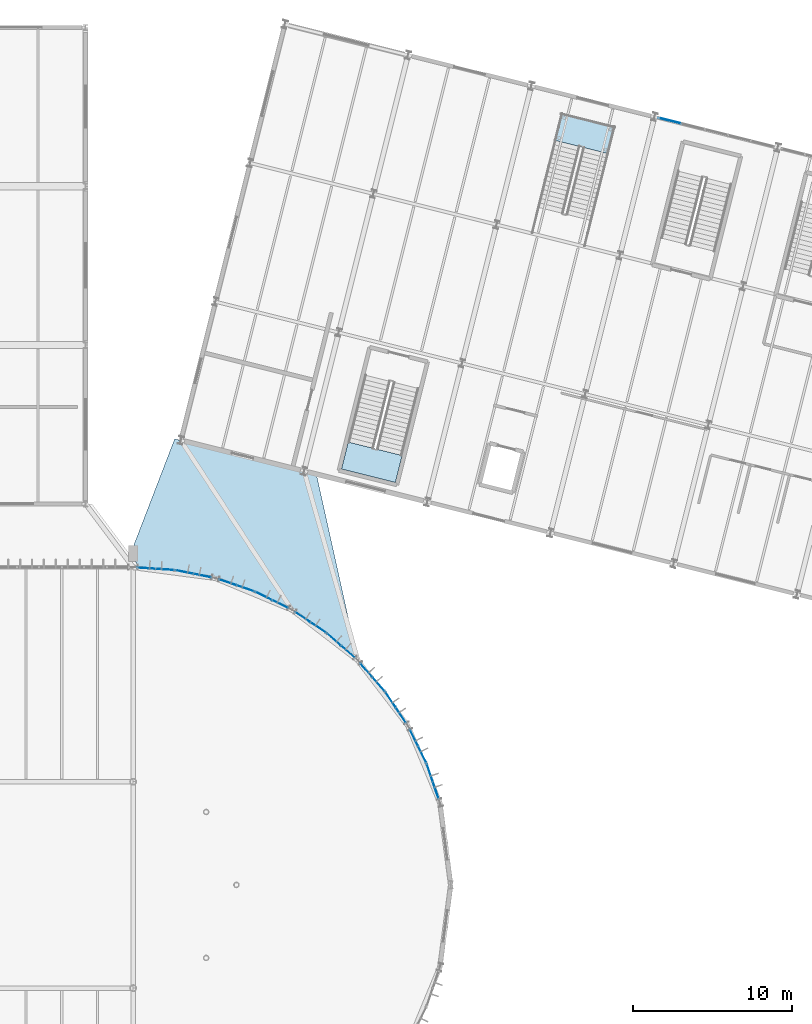
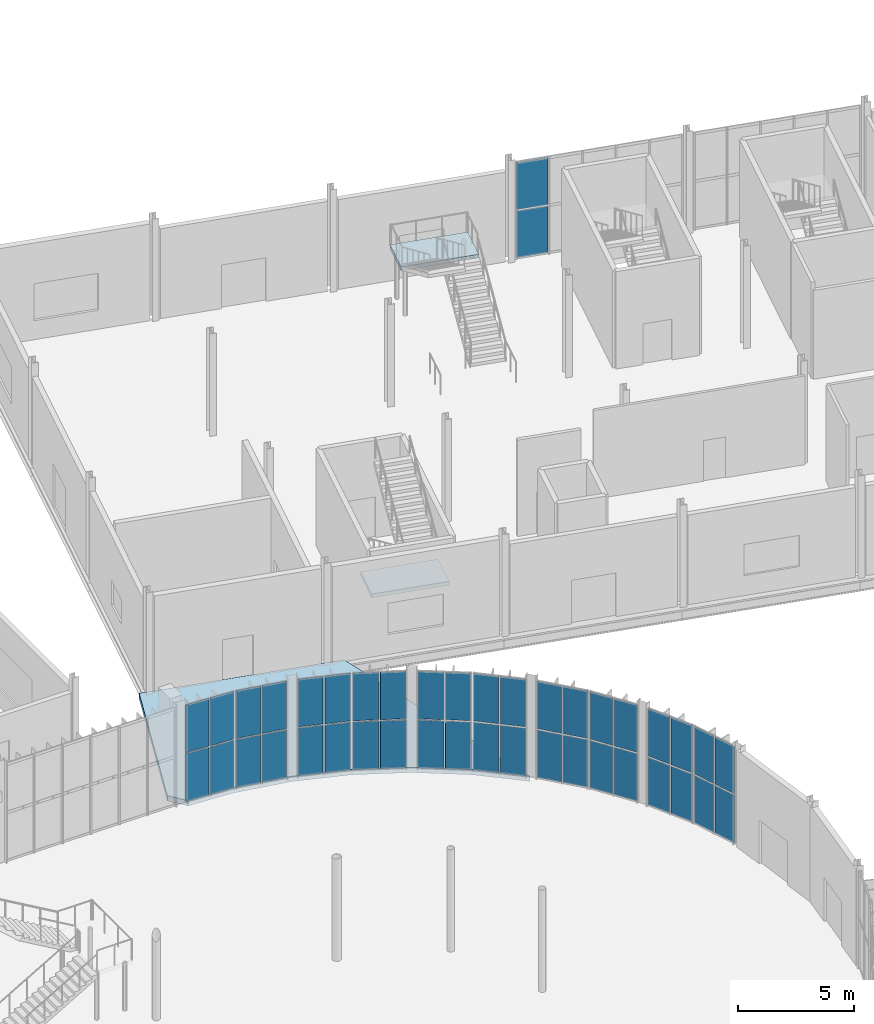
# One storey, part 112 of 158: 42 plates, 3 slabs, 13 elements without a shape of their own.
"""IFC4 building model written with IfcOpenShell, lengths in metres."""

import ifcopenshell
import ifcopenshell.guid

model = None  # the IFC model being written
_history = None  # IfcOwnerHistory: only IFC2X3 demands one
_inside = {}  # id of a spatial element -> (the spatial element, [elements in it])
_under = {}  # id of a project, library or spatial element -> (it, [spatial elements below it])
_declared = {}  # id of a project -> (the project, [libraries it declares])
_typed = {}  # id of a type object -> (the type object, [elements of that type])
_made_of = {}  # id of a material, layer set ... -> (it, [elements and type objects made of it])


def new_model(schema):
    """Start an empty IFC model of exactly this schema.

    Asked for "IFC4X3", IfcOpenShell would pick the latest addendum, in which some entities
    have other attributes; the version numbers below select the first issue.
    IFC2X3 requires an IfcOwnerHistory on every rooted entity: one is made here for all.
    """
    global model, _history
    if schema == "IFC4X3":
        model = ifcopenshell.file(schema_version=(4, 3, 0, 0))
    else:
        model = ifcopenshell.file(schema=schema)
    _inside.clear()
    _under.clear()
    _declared.clear()
    _typed.clear()
    _made_of.clear()
    _history = None
    if model.schema == "IFC2X3":
        org = make("IfcOrganization", Name="unknown")
        user = make(
            "IfcPersonAndOrganization",
            ThePerson=make("IfcPerson", FamilyName="unknown"),
            TheOrganization=org,
        )
        app = make(
            "IfcApplication",
            ApplicationDeveloper=org,
            Version="unknown",
            ApplicationFullName="unknown",
            ApplicationIdentifier="unknown",
        )
        _history = make(
            "IfcOwnerHistory",
            OwningUser=user,
            OwningApplication=app,
            ChangeAction="ADDED",
            CreationDate=0,
        )
    return model


def make(cls, **values):
    """One entity of the class cls with the attributes given. An attribute that is None is left unset."""
    return model.create_entity(
        cls, **{name: value for name, value in values.items() if value is not None}
    )


def rooted(cls, **values):
    """An entity with a GlobalId (a new one), such as an element, a storey or a relation."""
    return make(cls, GlobalId=ifcopenshell.guid.new(), OwnerHistory=_history, **values)


def si_unit(unit_type, name, prefix=None):
    """IfcSIUnit, for example si_unit("LENGTHUNIT", "METRE", prefix="MILLI")."""
    return make("IfcSIUnit", UnitType=unit_type, Prefix=prefix, Name=name)


def derived_unit(unit_type, elements):
    """IfcDerivedUnit: a product of units, each with its exponent."""
    return make(
        "IfcDerivedUnit",
        Elements=[
            make("IfcDerivedUnitElement", Unit=unit, Exponent=power)
            for unit, power in elements
        ],
        UnitType=unit_type,
    )


def assignment(units):
    """IfcUnitAssignment: the units of a project."""
    return None if units is None else make("IfcUnitAssignment", Units=units)


def point(xyz):
    """IfcCartesianPoint."""
    return None if xyz is None else make("IfcCartesianPoint", Coordinates=xyz)


def direction(xyz):
    """IfcDirection."""
    return None if xyz is None else make("IfcDirection", DirectionRatios=xyz)


def frame(location, z_axis=None, x_axis=None):
    """IfcAxis2Placement3D, a coordinate frame: its origin and axes. An axis left out is left unset."""
    return make(
        "IfcAxis2Placement3D",
        Location=point(location),
        Axis=direction(z_axis),
        RefDirection=direction(x_axis),
    )


def frame_2d(location, x_axis=None):
    """IfcAxis2Placement2D, a coordinate frame in the plane: its origin and x axis."""
    return make(
        "IfcAxis2Placement2D", Location=point(location), RefDirection=direction(x_axis)
    )


def origin():
    """The frame at (0, 0, 0) with its axes left unset."""
    return frame((0.0, 0.0, 0.0))


def origin_2d():
    """The frame at (0, 0) in the plane with its x axis left unset."""
    return frame_2d((0.0, 0.0))


def place(relative_to, where):
    """IfcLocalPlacement: puts the frame where relative to a parent placement (None: the world)."""
    return make(
        "IfcLocalPlacement", PlacementRelTo=relative_to, RelativePlacement=where
    )


def context(
    kind, dimensions, precision=None, world=None, true_north=None, identifier=None
):
    """IfcGeometricRepresentationContext, for example the 3D "Model" context."""
    return make(
        "IfcGeometricRepresentationContext",
        ContextIdentifier=identifier,
        ContextType=kind,
        CoordinateSpaceDimension=dimensions,
        Precision=precision,
        WorldCoordinateSystem=world,
        TrueNorth=true_north,
    )


def subcontext(parent, identifier, kind, view, scale=None):
    """IfcGeometricRepresentationSubContext, for example "Body" below "Model"."""
    return make(
        "IfcGeometricRepresentationSubContext",
        ContextIdentifier=identifier,
        ContextType=kind,
        ParentContext=parent,
        TargetScale=scale,
        TargetView=view,
    )


def project(units=None, contexts=None):
    """IfcProject with its units and contexts."""
    return rooted(
        "IfcProject",
        Name="project",
        RepresentationContexts=contexts,
        UnitsInContext=assignment(units),
    )


def spatial(cls, under=None, at=None, **own):
    """A site, building, storey or space (cls), placed at a placement, below another one or the project."""
    s = rooted(cls, ObjectPlacement=at, **own)
    if under is not None:
        _under.setdefault(under.id(), (under, []))[1].append(s)
    return s


def polyline(points):
    """IfcPolyline through the points."""
    return make("IfcPolyline", Points=[point(p) for p in points])


def profile(cls, at=None, kind="AREA", **sizes):
    """A parametric profile (cls). Its sizes go by their IFC names, for example OverallWidth=200.0."""
    return make(cls, ProfileType=kind, Position=at, **sizes)


def rectangle(**sizes):
    """IfcRectangleProfileDef."""
    return profile("IfcRectangleProfileDef", **sizes)


def outline(outer, holes=None, kind="AREA"):
    """IfcArbitraryClosedProfileDef: a profile drawn as a closed curve; with holes, ...WithVoids."""
    if holes is None:
        return make("IfcArbitraryClosedProfileDef", ProfileType=kind, OuterCurve=outer)
    return make(
        "IfcArbitraryProfileDefWithVoids",
        ProfileType=kind,
        OuterCurve=outer,
        InnerCurves=holes,
    )


def extrude(swept, where, along, depth):
    """IfcExtrudedAreaSolid: the profile swept, set in the frame where, extruded along a direction by depth."""
    return make(
        "IfcExtrudedAreaSolid",
        SweptArea=swept,
        Position=where,
        ExtrudedDirection=direction(along),
        Depth=depth,
    )


def shape(context_of_items, identifier, shape_type, items):
    """IfcShapeRepresentation: the items that make up one representation, for example the "Body"."""
    return make(
        "IfcShapeRepresentation",
        ContextOfItems=context_of_items,
        RepresentationIdentifier=identifier,
        RepresentationType=shape_type,
        Items=items,
    )


def material(Name=None, Category=None):
    """IfcMaterial."""
    return make("IfcMaterial", Name=Name, Category=Category)


def layer(
    of_material, thickness, ventilated=None, Name=None, Category=None, Priority=None
):
    """IfcMaterialLayer: one layer of a wall or slab, of a material (None: an air gap)."""
    return make(
        "IfcMaterialLayer",
        Material=of_material,
        LayerThickness=thickness,
        IsVentilated=ventilated,
        Name=Name,
        Category=Category,
        Priority=Priority,
    )


def layer_set(layers, Name=None):
    """IfcMaterialLayerSet."""
    return make("IfcMaterialLayerSet", MaterialLayers=layers, LayerSetName=Name)


def made_of(thing, what):
    """Note that an element or type object is made of a material, layer set ...; save() writes the relation."""
    if what is not None:
        _made_of.setdefault(what.id(), (what, []))[1].append(thing)
    return thing


def type_object(cls, material=None, **own):
    """A type object (cls), such as IfcWallType, which elements share."""
    return made_of(rooted(cls, **own), material)


def element(
    cls,
    number,
    at=None,
    inside=None,
    cuts=None,
    type_object=None,
    material=None,
    context=None,
    identifier="Body",
    shape_type=None,
    held_by="IfcProductDefinitionShape",
    body=None,
    shapes=None,
    **own,
):
    """One element of the class cls, such as IfcWall. Its Tag is "e" and its number.

    at: its placement. inside: the storey or other place that contains it. cuts: it is an
    opening in that element (IfcRelVoidsElement). A single representation is given by context,
    identifier, shape_type and body (its items); several are given by shapes. held_by: the class
    of the entity that holds the representations. save() writes the other relations.
    """
    e = rooted(cls, Tag="e%d" % number, ObjectPlacement=at, **own)
    if body is not None:
        shapes = [shape(context, identifier, shape_type, body)]
    if shapes is not None:
        e.Representation = make(held_by, Representations=shapes)
    if inside is not None:
        _inside.setdefault(inside.id(), (inside, []))[1].append(e)
    if cuts is not None:
        rooted(
            "IfcRelVoidsElement", RelatingBuildingElement=cuts, RelatedOpeningElement=e
        )
    if type_object is not None:
        _typed.setdefault(type_object.id(), (type_object, []))[1].append(e)
    return made_of(e, material)


def aggregate(whole, parts):
    """IfcRelAggregates: a whole, such as a stair, and the parts it consists of."""
    return rooted("IfcRelAggregates", RelatingObject=whole, RelatedObjects=parts)


def save(model, path):
    """Write the relations noted so far, then the file.

    IfcRelAggregates (storeys below a building ...), IfcRelContainedInSpatialStructure (elements
    in a storey), IfcRelDefinesByType, IfcRelAssociatesMaterial and IfcRelDeclares: one each for
    every whole, place, type object, material and project.
    """
    for whole, parts in _under.values():
        aggregate(whole, parts)
    for where, things in _inside.values():
        rooted(
            "IfcRelContainedInSpatialStructure",
            RelatedElements=things,
            RelatingStructure=where,
        )
    for kind, things in _typed.values():
        rooted("IfcRelDefinesByType", RelatedObjects=things, RelatingType=kind)
    for what, things in _made_of.values():
        rooted("IfcRelAssociatesMaterial", RelatedObjects=things, RelatingMaterial=what)
    for by, libraries in _declared.values():
        rooted("IfcRelDeclares", RelatingContext=by, RelatedDefinitions=libraries)
    model.write(path)


model = new_model("IFC4")

# Units and contexts
model_context = context("Model", 3, precision=1e-05, world=origin(), true_north=direction((0.0, 1.0)))
body_context = subcontext(model_context, "Body", "Model", "MODEL_VIEW")
ifc_project = project(units=[si_unit("LENGTHUNIT", "METRE"), si_unit("AREAUNIT", "SQUARE_METRE"), si_unit("VOLUMEUNIT", "CUBIC_METRE"), si_unit("PLANEANGLEUNIT", "RADIAN"), si_unit("MASSUNIT", "GRAM", prefix="KILO"), si_unit("THERMODYNAMICTEMPERATUREUNIT", "KELVIN"), si_unit("TIMEUNIT", "SECOND"), derived_unit("THERMALTRANSMITTANCEUNIT", [(si_unit("MASSUNIT", "GRAM", prefix="KILO"), 1), (si_unit("THERMODYNAMICTEMPERATUREUNIT", "KELVIN"), -1), (si_unit("TIMEUNIT", "SECOND"), -3)])], contexts=[model_context])

# Site, building, storey
site_placement = place(None, origin())
site = spatial("IfcSite", under=ifc_project, at=site_placement, CompositionType="ELEMENT")
building_placement = place(site_placement, origin())
building = spatial("IfcBuilding", under=site, at=building_placement, Name="Cambertide Market Hall", CompositionType="ELEMENT")
storey_placement = place(building_placement, origin())
storey = spatial("IfcBuildingStorey", under=building, at=storey_placement, Name="L01", CompositionType="ELEMENT", Elevation=0.0)

# Stair, slab
ifc_material_1 = material(Name="Concrete B35", Category="concrete")
stair_type_1 = type_object("IfcStairType", Name="Concrete Dogleg Stair ST-07A", PredefinedType="HALF_TURN_STAIR", material=ifc_material_1)
stair_1_placement = place(storey_placement, origin())
stair_1 = element("IfcStair", 1, at=stair_1_placement, inside=storey, type_object=stair_type_1, Name="Level 1 Exit Stair Core 07A", PredefinedType="HALF_TURN_STAIR")
ifc_material_2 = material(Name="Concrete B35", Category="concrete")
ifc_layer_1 = layer(ifc_material_2, 0.199951171875, Name="Concrete Stair Half-Landing 200")
ifc_layer_set_1 = layer_set([ifc_layer_1], Name="Concrete B35")
slab_type_1 = type_object("IfcSlabType", Name="Concrete Stair Half-Landing 200", PredefinedType="LANDING", material=ifc_layer_set_1)
slab_1_placement = place(storey_placement, frame((0.0, 0.0, 2.5)))
slab_1 = element("IfcSlab", 2, at=slab_1_placement, type_object=slab_type_1, Name="ST-07A landing 1", PredefinedType="LANDING", context=body_context, shape_type="SweptSolid", body=[
    extrude(outline(polyline([(118.5390625, 99.894775390625), (118.11376953125, 98.193115234375), (121.50927734375, 97.34423828125), (121.9345703125, 99.0458984375), (118.5390625, 99.894775390625)])), origin(), (0.0, 0.0, 1.0), 0.199951171875),
])
aggregate(stair_1, [slab_1])

ifc_material_3 = material(Name="Concrete B35", Category="concrete")
stair_type_2 = type_object("IfcStairType", Name="Concrete Dogleg Stair ST-13", PredefinedType="HALF_TURN_STAIR", material=ifc_material_3)
stair_2_placement = place(storey_placement, origin())
stair_2 = element("IfcStair", 3, at=stair_2_placement, inside=storey, type_object=stair_type_2, Name="Level 1 Culinary Atrium Feature Stair", PredefinedType="HALF_TURN_STAIR")
slab_2_placement = place(storey_placement, frame((0.0, 0.0, 2.5)))
slab_2 = element("IfcSlab", 4, at=slab_2_placement, type_object=slab_type_1, Name="ST-13 landing 1", PredefinedType="LANDING", context=body_context, shape_type="SweptSolid", body=[
    extrude(outline(polyline([(134.9326171875, 118.052978515625), (135.35791015625, 119.754638671875), (131.96240234375, 120.603515625), (131.537109375, 118.90185546875), (134.9326171875, 118.052978515625)])), origin(), (0.0, 0.0, 1.0), 0.199951171875),
])
aggregate(stair_2, [slab_2])

# Slab
ifc_material_4 = material(Name="Concrete B35", Category="concrete")
ifc_layer_2 = layer(ifc_material_4, 0.280029296875, Name="Exterior Entry Apron & Colonnade Slab 280")
ifc_layer_set_2 = layer_set([ifc_layer_2], Name="Concrete B35")
slab_type_2 = type_object("IfcSlabType", Name="Exterior Entry Apron & Colonnade Slab 280", PredefinedType="FLOOR", material=ifc_layer_set_2)
slab_3_placement = place(storey_placement, frame((0.0, 0.0, -0.280029296875)))
element("IfcSlab", 5, at=slab_3_placement, inside=storey, type_object=slab_type_2, Name="Level 1 Slab SLB-L01-LNK-V1V4", PredefinedType="FLOOR", context=body_context, shape_type="SweptSolid", body=[
    extrude(outline(polyline([(119.121826171875, 86.23291015625), (116.537353515625, 97.85546875), (107.98779296875, 99.99267578125), (107.989013671875, 99.99755859375), (107.610595703125, 100.09228515625), (104.806640625, 92.802490234375), (105.3876953125, 92.02978515625), (107.61767578125, 91.883544921875), (110.190673828125, 91.371826171875), (112.6748046875, 90.528564453125), (115.027587890625, 89.3681640625), (117.208740234375, 87.910888671875), (119.121826171875, 86.23291015625)])), origin(), (0.0, 0.0, 1.0), 0.280029296875),
])

# Curtain wall, plate
ifc_material_5 = material(Name="Marine Anodized Aluminium 6063-T6 AA25", Category="aluminium")
curtain_wall_type_1 = type_object("IfcCurtainWallType", Name="Cooking School Ground Showcase Wall", PredefinedType="USERDEFINED", material=ifc_material_5)
curtain_wall_1_placement = place(storey_placement, origin())
curtain_wall_1 = element("IfcCurtainWall", 6, at=curtain_wall_1_placement, inside=storey, type_object=curtain_wall_type_1, Name="Level 1 Curtain Wall CW-V4N-L01-4", ObjectType="UNITIZED CURTAIN WALL", PredefinedType="USERDEFINED")
ifc_material_6 = material(Name="Champagne Marine Anodized Aluminium 6063-T6 AA25", Category="aluminium")
ifc_layer_3 = layer(ifc_material_6, 0.0419921875, Name="Insulated Aluminium Spandrel Panel 42")
ifc_layer_set_3 = layer_set([ifc_layer_3], Name="Champagne Marine Anodized Aluminium 6063-T6 AA25")
plate_type_1 = type_object("IfcPlateType", Name="Insulated Aluminium Spandrel Panel 42", PredefinedType="CURTAIN_PANEL", material=ifc_layer_set_3)
plate_1_placement = place(storey_placement, frame((138.794189453125, 120.13232421875, 2.58984375), z_axis=(0.0, 0.0, 1.0), x_axis=(0.970142500145, -0.242535625038, 0.0)))
plate_1 = element("IfcPlate", 7, at=plate_1_placement, type_object=plate_type_1, Name="CW-V4N-L01-4 Glazing Panel 2-1", PredefinedType="CURTAIN_PANEL", context=body_context, shape_type="SweptSolid", body=[
    extrude(rectangle(XDim=1.424072265625, YDim=0.0419921875, at=origin_2d()), origin(), (0.0, 0.0, 1.0), 2.469970703125),
])

# Curtain wall, plates
ifc_material_7 = material(Name="Marine Anodized Aluminium 6063-T6 AA25", Category="aluminium")
curtain_wall_type_2 = type_object("IfcCurtainWallType", Name="Lantern Apse Chord Lower Curtain Wall", PredefinedType="USERDEFINED", material=ifc_material_7)
curtain_wall_2_placement = place(storey_placement, origin())
curtain_wall_2 = element("IfcCurtainWall", 8, at=curtain_wall_2_placement, inside=storey, type_object=curtain_wall_type_2, Name="Level 1 Curtain Wall CW-V1AE-L01-15", ObjectType="UNITIZED CURTAIN WALL", PredefinedType="USERDEFINED")
ifc_material_8 = material(Name="Low-E Laminated Insulated Glass", Category="glass")
ifc_layer_4 = layer(ifc_material_8, 0.028076171875, Name="Vision Insulated Glazing Panel 28")
ifc_layer_set_4 = layer_set([ifc_layer_4], Name="Low-E Laminated Insulated Glass")
plate_type_2 = type_object("IfcPlateType", Name="Vision Insulated Glazing Panel 28", PredefinedType="CURTAIN_PANEL", material=ifc_layer_set_4)
plate_2_placement = place(storey_placement, frame((123.675048828125, 79.072265625, 0.0400390625), z_axis=(0.0, 0.0, 1.0), x_axis=(0.32143947831, -0.94693012508, 0.0)))
plate_2 = element("IfcPlate", 9, at=plate_2_placement, type_object=plate_type_2, Name="CW-V1AE-L01-15 Glazing Panel 1-1", PredefinedType="CURTAIN_PANEL", context=body_context, shape_type="SweptSolid", body=[
    extrude(rectangle(XDim=1.108154296875, YDim=0.028076171875, at=origin_2d()), origin(), (0.0, 0.0, 1.0), 2.5),
])
plate_3_placement = place(storey_placement, frame((124.056884765625, 77.947265625, 0.0400390625), z_axis=(0.0, 0.0, 1.0), x_axis=(0.32143947831, -0.94693012508, 0.0)))
plate_3 = element("IfcPlate", 10, at=plate_3_placement, type_object=plate_type_2, Name="CW-V1AE-L01-15 Glazing Panel 1-2", PredefinedType="CURTAIN_PANEL", context=body_context, shape_type="SweptSolid", body=[
    extrude(rectangle(XDim=1.108154296875, YDim=0.028076171875, at=origin_2d()), origin(), (0.0, 0.0, 1.0), 2.5),
])
plate_4_placement = place(storey_placement, frame((123.675048828125, 79.072265625, 2.6201171875), z_axis=(0.0, 0.0, 1.0), x_axis=(0.32143947831, -0.94693012508, 0.0)))
plate_4 = element("IfcPlate", 11, at=plate_4_placement, type_object=plate_type_2, Name="CW-V1AE-L01-15 Glazing Panel 2-1", PredefinedType="CURTAIN_PANEL", context=body_context, shape_type="SweptSolid", body=[
    extrude(rectangle(XDim=1.108154296875, YDim=0.028076171875, at=origin_2d()), origin(), (0.0, 0.0, 1.0), 2.5),
])
plate_5_placement = place(storey_placement, frame((124.056884765625, 77.947265625, 2.6201171875), z_axis=(0.0, 0.0, 1.0), x_axis=(0.32143947831, -0.94693012508, 0.0)))
plate_5 = element("IfcPlate", 12, at=plate_5_placement, type_object=plate_type_2, Name="CW-V1AE-L01-15 Glazing Panel 2-2", PredefinedType="CURTAIN_PANEL", context=body_context, shape_type="SweptSolid", body=[
    extrude(rectangle(XDim=1.108154296875, YDim=0.028076171875, at=origin_2d()), origin(), (0.0, 0.0, 1.0), 2.5),
])
aggregate(curtain_wall_2, [plate_2, plate_3, plate_4, plate_5])

curtain_wall_3_placement = place(storey_placement, origin())
curtain_wall_3 = element("IfcCurtainWall", 13, at=curtain_wall_3_placement, inside=storey, type_object=curtain_wall_type_2, Name="Level 1 Curtain Wall CW-V1AE-L01-16", ObjectType="UNITIZED CURTAIN WALL", PredefinedType="USERDEFINED")
plate_6_placement = place(storey_placement, frame((122.6806640625, 81.27001953125, 0.0400390625), z_axis=(0.0, 0.0, 1.0), x_axis=(0.442288874522, -0.896872650645, 0.0)))
plate_6 = element("IfcPlate", 14, at=plate_6_placement, type_object=plate_type_2, Name="CW-V1AE-L01-16 Glazing Panel 1-1", PredefinedType="CURTAIN_PANEL", context=body_context, shape_type="SweptSolid", body=[
    extrude(rectangle(XDim=1.108154296875, YDim=0.028076171875, at=origin_2d()), origin(), (0.0, 0.0, 1.0), 2.5),
])
plate_7_placement = place(storey_placement, frame((123.2060546875, 80.204345703125, 0.0400390625), z_axis=(0.0, 0.0, 1.0), x_axis=(0.442288874522, -0.896872650645, 0.0)))
plate_7 = element("IfcPlate", 15, at=plate_7_placement, type_object=plate_type_2, Name="CW-V1AE-L01-16 Glazing Panel 1-2", PredefinedType="CURTAIN_PANEL", context=body_context, shape_type="SweptSolid", body=[
    extrude(rectangle(XDim=1.108154296875, YDim=0.028076171875, at=origin_2d()), origin(), (0.0, 0.0, 1.0), 2.5),
])
plate_8_placement = place(storey_placement, frame((122.6806640625, 81.27001953125, 2.6201171875), z_axis=(0.0, 0.0, 1.0), x_axis=(0.442288874522, -0.896872650645, 0.0)))
plate_8 = element("IfcPlate", 16, at=plate_8_placement, type_object=plate_type_2, Name="CW-V1AE-L01-16 Glazing Panel 2-1", PredefinedType="CURTAIN_PANEL", context=body_context, shape_type="SweptSolid", body=[
    extrude(rectangle(XDim=1.108154296875, YDim=0.028076171875, at=origin_2d()), origin(), (0.0, 0.0, 1.0), 2.5),
])
plate_9_placement = place(storey_placement, frame((123.2060546875, 80.204345703125, 2.6201171875), z_axis=(0.0, 0.0, 1.0), x_axis=(0.442288874522, -0.896872650645, 0.0)))
plate_9 = element("IfcPlate", 17, at=plate_9_placement, type_object=plate_type_2, Name="CW-V1AE-L01-16 Glazing Panel 2-2", PredefinedType="CURTAIN_PANEL", context=body_context, shape_type="SweptSolid", body=[
    extrude(rectangle(XDim=1.108154296875, YDim=0.028076171875, at=origin_2d()), origin(), (0.0, 0.0, 1.0), 2.5),
])
aggregate(curtain_wall_3, [plate_6, plate_7, plate_8, plate_9])

curtain_wall_4_placement = place(storey_placement, origin())
curtain_wall_4 = element("IfcCurtainWall", 18, at=curtain_wall_4_placement, inside=storey, type_object=curtain_wall_type_2, Name="Level 1 Curtain Wall CW-V1AE-L01-17", ObjectType="UNITIZED CURTAIN WALL", PredefinedType="USERDEFINED")
plate_10_placement = place(storey_placement, frame((121.208251953125, 83.664794921875, 0.0400390625), z_axis=(0.0, 0.0, 1.0), x_axis=(0.555570087582, -0.831469709481, 0.0)))
plate_10 = element("IfcPlate", 19, at=plate_10_placement, type_object=plate_type_2, Name="CW-V1AE-L01-17 Glazing Panel 1-1", PredefinedType="CURTAIN_PANEL", context=body_context, shape_type="SweptSolid", body=[
    extrude(rectangle(XDim=1.108154296875, YDim=0.028076171875, at=origin_2d()), origin(), (0.0, 0.0, 1.0), 2.5),
])
plate_11_placement = place(storey_placement, frame((121.8681640625, 82.6767578125, 0.0400390625), z_axis=(0.0, 0.0, 1.0), x_axis=(0.555570087582, -0.831469709481, 0.0)))
plate_11 = element("IfcPlate", 20, at=plate_11_placement, type_object=plate_type_2, Name="CW-V1AE-L01-17 Glazing Panel 1-2", PredefinedType="CURTAIN_PANEL", context=body_context, shape_type="SweptSolid", body=[
    extrude(rectangle(XDim=1.108154296875, YDim=0.028076171875, at=origin_2d()), origin(), (0.0, 0.0, 1.0), 2.5),
])
plate_12_placement = place(storey_placement, frame((121.208251953125, 83.664794921875, 2.6201171875), z_axis=(0.0, 0.0, 1.0), x_axis=(0.555570087582, -0.831469709481, 0.0)))
plate_12 = element("IfcPlate", 21, at=plate_12_placement, type_object=plate_type_2, Name="CW-V1AE-L01-17 Glazing Panel 2-1", PredefinedType="CURTAIN_PANEL", context=body_context, shape_type="SweptSolid", body=[
    extrude(rectangle(XDim=1.108154296875, YDim=0.028076171875, at=origin_2d()), origin(), (0.0, 0.0, 1.0), 2.5),
])
plate_13_placement = place(storey_placement, frame((121.8681640625, 82.6767578125, 2.6201171875), z_axis=(0.0, 0.0, 1.0), x_axis=(0.555570087582, -0.831469709481, 0.0)))
plate_13 = element("IfcPlate", 22, at=plate_13_placement, type_object=plate_type_2, Name="CW-V1AE-L01-17 Glazing Panel 2-2", PredefinedType="CURTAIN_PANEL", context=body_context, shape_type="SweptSolid", body=[
    extrude(rectangle(XDim=1.108154296875, YDim=0.028076171875, at=origin_2d()), origin(), (0.0, 0.0, 1.0), 2.5),
])
aggregate(curtain_wall_4, [plate_10, plate_11, plate_12, plate_13])

curtain_wall_5_placement = place(storey_placement, origin())
curtain_wall_5 = element("IfcCurtainWall", 23, at=curtain_wall_5_placement, inside=storey, type_object=curtain_wall_type_2, Name="Level 1 Curtain Wall CW-V1AE-L01-18", ObjectType="UNITIZED CURTAIN WALL", PredefinedType="USERDEFINED")
plate_14_placement = place(storey_placement, frame((119.678955078125, 85.530029296875, 0.0400390625), z_axis=(0.0, 0.0, 1.0), x_axis=(0.659345784014, -0.751839834741, 0.0)))
plate_14 = element("IfcPlate", 24, at=plate_14_placement, type_object=plate_type_2, Name="CW-V1AE-L01-18 Glazing Panel 1-1", PredefinedType="CURTAIN_PANEL", context=body_context, shape_type="SweptSolid", body=[
    extrude(rectangle(XDim=1.108154296875, YDim=0.028076171875, at=origin_2d()), origin(), (0.0, 0.0, 1.0), 2.5),
])
plate_15_placement = place(storey_placement, frame((120.462158203125, 84.636962890625, 0.0400390625), z_axis=(0.0, 0.0, 1.0), x_axis=(0.659345784014, -0.751839834741, 0.0)))
plate_15 = element("IfcPlate", 25, at=plate_15_placement, type_object=plate_type_2, Name="CW-V1AE-L01-18 Glazing Panel 1-2", PredefinedType="CURTAIN_PANEL", context=body_context, shape_type="SweptSolid", body=[
    extrude(rectangle(XDim=1.108154296875, YDim=0.028076171875, at=origin_2d()), origin(), (0.0, 0.0, 1.0), 2.5),
])
plate_16_placement = place(storey_placement, frame((119.678955078125, 85.530029296875, 2.6201171875), z_axis=(0.0, 0.0, 1.0), x_axis=(0.659345784014, -0.751839834741, 0.0)))
plate_16 = element("IfcPlate", 26, at=plate_16_placement, type_object=plate_type_2, Name="CW-V1AE-L01-18 Glazing Panel 2-1", PredefinedType="CURTAIN_PANEL", context=body_context, shape_type="SweptSolid", body=[
    extrude(rectangle(XDim=1.108154296875, YDim=0.028076171875, at=origin_2d()), origin(), (0.0, 0.0, 1.0), 2.5),
])
plate_17_placement = place(storey_placement, frame((120.462158203125, 84.636962890625, 2.6201171875), z_axis=(0.0, 0.0, 1.0), x_axis=(0.659345784014, -0.751839834741, 0.0)))
plate_17 = element("IfcPlate", 27, at=plate_17_placement, type_object=plate_type_2, Name="CW-V1AE-L01-18 Glazing Panel 2-2", PredefinedType="CURTAIN_PANEL", context=body_context, shape_type="SweptSolid", body=[
    extrude(rectangle(XDim=1.108154296875, YDim=0.028076171875, at=origin_2d()), origin(), (0.0, 0.0, 1.0), 2.5),
])
aggregate(curtain_wall_5, [plate_14, plate_15, plate_16, plate_17])

curtain_wall_6_placement = place(storey_placement, origin())
curtain_wall_6 = element("IfcCurtainWall", 28, at=curtain_wall_6_placement, inside=storey, type_object=curtain_wall_type_2, Name="Level 1 Curtain Wall CW-V1AE-L01-19", ObjectType="UNITIZED CURTAIN WALL", PredefinedType="USERDEFINED")
plate_18_placement = place(storey_placement, frame((117.636962890625, 87.462158203125, 0.0400390625), z_axis=(0.0, 0.0, 1.0), x_axis=(0.751839834741, -0.659345784014, 0.0)))
plate_18 = element("IfcPlate", 29, at=plate_18_placement, type_object=plate_type_2, Name="CW-V1AE-L01-19 Glazing Panel 1-1", PredefinedType="CURTAIN_PANEL", context=body_context, shape_type="SweptSolid", body=[
    extrude(rectangle(XDim=1.108154296875, YDim=0.028076171875, at=origin_2d()), origin(), (0.0, 0.0, 1.0), 2.5),
])
plate_19_placement = place(storey_placement, frame((118.530029296875, 86.678955078125, 0.0400390625), z_axis=(0.0, 0.0, 1.0), x_axis=(0.751839834741, -0.659345784014, 0.0)))
plate_19 = element("IfcPlate", 30, at=plate_19_placement, type_object=plate_type_2, Name="CW-V1AE-L01-19 Glazing Panel 1-2", PredefinedType="CURTAIN_PANEL", context=body_context, shape_type="SweptSolid", body=[
    extrude(rectangle(XDim=1.108154296875, YDim=0.028076171875, at=origin_2d()), origin(), (0.0, 0.0, 1.0), 2.5),
])
plate_20_placement = place(storey_placement, frame((117.636962890625, 87.462158203125, 2.6201171875), z_axis=(0.0, 0.0, 1.0), x_axis=(0.751839834741, -0.659345784014, 0.0)))
plate_20 = element("IfcPlate", 31, at=plate_20_placement, type_object=plate_type_2, Name="CW-V1AE-L01-19 Glazing Panel 2-1", PredefinedType="CURTAIN_PANEL", context=body_context, shape_type="SweptSolid", body=[
    extrude(rectangle(XDim=1.108154296875, YDim=0.028076171875, at=origin_2d()), origin(), (0.0, 0.0, 1.0), 2.5),
])
plate_21_placement = place(storey_placement, frame((118.530029296875, 86.678955078125, 2.6201171875), z_axis=(0.0, 0.0, 1.0), x_axis=(0.751839834741, -0.659345784014, 0.0)))
plate_21 = element("IfcPlate", 32, at=plate_21_placement, type_object=plate_type_2, Name="CW-V1AE-L01-19 Glazing Panel 2-2", PredefinedType="CURTAIN_PANEL", context=body_context, shape_type="SweptSolid", body=[
    extrude(rectangle(XDim=1.108154296875, YDim=0.028076171875, at=origin_2d()), origin(), (0.0, 0.0, 1.0), 2.5),
])
aggregate(curtain_wall_6, [plate_18, plate_19, plate_20, plate_21])

curtain_wall_7_placement = place(storey_placement, origin())
curtain_wall_7 = element("IfcCurtainWall", 33, at=curtain_wall_7_placement, inside=storey, type_object=curtain_wall_type_2, Name="Level 1 Curtain Wall CW-V1AE-L01-20", ObjectType="UNITIZED CURTAIN WALL", PredefinedType="USERDEFINED")
plate_22_placement = place(storey_placement, frame((115.6767578125, 88.8681640625, 0.0400390625), z_axis=(0.0, 0.0, 1.0), x_axis=(0.831469709481, -0.555570087582, 0.0)))
plate_22 = element("IfcPlate", 34, at=plate_22_placement, type_object=plate_type_2, Name="CW-V1AE-L01-20 Glazing Panel 1-1", PredefinedType="CURTAIN_PANEL", context=body_context, shape_type="SweptSolid", body=[
    extrude(rectangle(XDim=1.108154296875, YDim=0.028076171875, at=origin_2d()), origin(), (0.0, 0.0, 1.0), 2.5),
])
plate_23_placement = place(storey_placement, frame((116.664794921875, 88.208251953125, 0.0400390625), z_axis=(0.0, 0.0, 1.0), x_axis=(0.831469709481, -0.555570087582, 0.0)))
plate_23 = element("IfcPlate", 35, at=plate_23_placement, type_object=plate_type_2, Name="CW-V1AE-L01-20 Glazing Panel 1-2", PredefinedType="CURTAIN_PANEL", context=body_context, shape_type="SweptSolid", body=[
    extrude(rectangle(XDim=1.108154296875, YDim=0.028076171875, at=origin_2d()), origin(), (0.0, 0.0, 1.0), 2.5),
])
plate_24_placement = place(storey_placement, frame((115.6767578125, 88.8681640625, 2.6201171875), z_axis=(0.0, 0.0, 1.0), x_axis=(0.831469709481, -0.555570087582, 0.0)))
plate_24 = element("IfcPlate", 36, at=plate_24_placement, type_object=plate_type_2, Name="CW-V1AE-L01-20 Glazing Panel 2-1", PredefinedType="CURTAIN_PANEL", context=body_context, shape_type="SweptSolid", body=[
    extrude(rectangle(XDim=1.108154296875, YDim=0.028076171875, at=origin_2d()), origin(), (0.0, 0.0, 1.0), 2.5),
])
plate_25_placement = place(storey_placement, frame((116.664794921875, 88.208251953125, 2.6201171875), z_axis=(0.0, 0.0, 1.0), x_axis=(0.831469709481, -0.555570087582, 0.0)))
plate_25 = element("IfcPlate", 37, at=plate_25_placement, type_object=plate_type_2, Name="CW-V1AE-L01-20 Glazing Panel 2-2", PredefinedType="CURTAIN_PANEL", context=body_context, shape_type="SweptSolid", body=[
    extrude(rectangle(XDim=1.108154296875, YDim=0.028076171875, at=origin_2d()), origin(), (0.0, 0.0, 1.0), 2.5),
])
aggregate(curtain_wall_7, [plate_22, plate_23, plate_24, plate_25])

curtain_wall_8_placement = place(storey_placement, origin())
curtain_wall_8 = element("IfcCurtainWall", 38, at=curtain_wall_8_placement, inside=storey, type_object=curtain_wall_type_2, Name="Level 1 Curtain Wall CW-V1AE-L01-21", ObjectType="UNITIZED CURTAIN WALL", PredefinedType="USERDEFINED")
plate_26_placement = place(storey_placement, frame((113.204345703125, 90.2060546875, 0.0400390625), z_axis=(0.0, 0.0, 1.0), x_axis=(0.896872650645, -0.442288874522, 0.0)))
plate_26 = element("IfcPlate", 39, at=plate_26_placement, type_object=plate_type_2, Name="CW-V1AE-L01-21 Glazing Panel 1-1", PredefinedType="CURTAIN_PANEL", context=body_context, shape_type="SweptSolid", body=[
    extrude(rectangle(XDim=1.108154296875, YDim=0.028076171875, at=origin_2d()), origin(), (0.0, 0.0, 1.0), 2.5),
])
plate_27_placement = place(storey_placement, frame((114.27001953125, 89.6806640625, 0.0400390625), z_axis=(0.0, 0.0, 1.0), x_axis=(0.896872650645, -0.442288874522, 0.0)))
plate_27 = element("IfcPlate", 40, at=plate_27_placement, type_object=plate_type_2, Name="CW-V1AE-L01-21 Glazing Panel 1-2", PredefinedType="CURTAIN_PANEL", context=body_context, shape_type="SweptSolid", body=[
    extrude(rectangle(XDim=1.108154296875, YDim=0.028076171875, at=origin_2d()), origin(), (0.0, 0.0, 1.0), 2.5),
])
plate_28_placement = place(storey_placement, frame((113.204345703125, 90.2060546875, 2.6201171875), z_axis=(0.0, 0.0, 1.0), x_axis=(0.896872650645, -0.442288874522, 0.0)))
plate_28 = element("IfcPlate", 41, at=plate_28_placement, type_object=plate_type_2, Name="CW-V1AE-L01-21 Glazing Panel 2-1", PredefinedType="CURTAIN_PANEL", context=body_context, shape_type="SweptSolid", body=[
    extrude(rectangle(XDim=1.108154296875, YDim=0.028076171875, at=origin_2d()), origin(), (0.0, 0.0, 1.0), 2.5),
])
plate_29_placement = place(storey_placement, frame((114.27001953125, 89.6806640625, 2.6201171875), z_axis=(0.0, 0.0, 1.0), x_axis=(0.896872650645, -0.442288874522, 0.0)))
plate_29 = element("IfcPlate", 42, at=plate_29_placement, type_object=plate_type_2, Name="CW-V1AE-L01-21 Glazing Panel 2-2", PredefinedType="CURTAIN_PANEL", context=body_context, shape_type="SweptSolid", body=[
    extrude(rectangle(XDim=1.108154296875, YDim=0.028076171875, at=origin_2d()), origin(), (0.0, 0.0, 1.0), 2.5),
])
aggregate(curtain_wall_8, [plate_26, plate_27, plate_28, plate_29])

curtain_wall_9_placement = place(storey_placement, origin())
curtain_wall_9 = element("IfcCurtainWall", 43, at=curtain_wall_9_placement, inside=storey, type_object=curtain_wall_type_2, Name="Level 1 Curtain Wall CW-V1AE-L01-22", ObjectType="UNITIZED CURTAIN WALL", PredefinedType="USERDEFINED")
plate_30_placement = place(storey_placement, frame((110.947265625, 91.056884765625, 0.0400390625), z_axis=(0.0, 0.0, 1.0), x_axis=(0.94693012508, -0.32143947831, 0.0)))
plate_30 = element("IfcPlate", 44, at=plate_30_placement, type_object=plate_type_2, Name="CW-V1AE-L01-22 Glazing Panel 1-1", PredefinedType="CURTAIN_PANEL", context=body_context, shape_type="SweptSolid", body=[
    extrude(rectangle(XDim=1.108154296875, YDim=0.028076171875, at=origin_2d()), origin(), (0.0, 0.0, 1.0), 2.5),
])
plate_31_placement = place(storey_placement, frame((112.072265625, 90.675048828125, 0.0400390625), z_axis=(0.0, 0.0, 1.0), x_axis=(0.94693012508, -0.32143947831, 0.0)))
plate_31 = element("IfcPlate", 45, at=plate_31_placement, type_object=plate_type_2, Name="CW-V1AE-L01-22 Glazing Panel 1-2", PredefinedType="CURTAIN_PANEL", context=body_context, shape_type="SweptSolid", body=[
    extrude(rectangle(XDim=1.108154296875, YDim=0.028076171875, at=origin_2d()), origin(), (0.0, 0.0, 1.0), 2.5),
])
plate_32_placement = place(storey_placement, frame((110.947265625, 91.056884765625, 2.6201171875), z_axis=(0.0, 0.0, 1.0), x_axis=(0.94693012508, -0.32143947831, 0.0)))
plate_32 = element("IfcPlate", 46, at=plate_32_placement, type_object=plate_type_2, Name="CW-V1AE-L01-22 Glazing Panel 2-1", PredefinedType="CURTAIN_PANEL", context=body_context, shape_type="SweptSolid", body=[
    extrude(rectangle(XDim=1.108154296875, YDim=0.028076171875, at=origin_2d()), origin(), (0.0, 0.0, 1.0), 2.5),
])
plate_33_placement = place(storey_placement, frame((112.072265625, 90.675048828125, 2.6201171875), z_axis=(0.0, 0.0, 1.0), x_axis=(0.94693012508, -0.32143947831, 0.0)))
plate_33 = element("IfcPlate", 47, at=plate_33_placement, type_object=plate_type_2, Name="CW-V1AE-L01-22 Glazing Panel 2-2", PredefinedType="CURTAIN_PANEL", context=body_context, shape_type="SweptSolid", body=[
    extrude(rectangle(XDim=1.108154296875, YDim=0.028076171875, at=origin_2d()), origin(), (0.0, 0.0, 1.0), 2.5),
])
aggregate(curtain_wall_9, [plate_30, plate_31, plate_32, plate_33])

curtain_wall_10_placement = place(storey_placement, origin())
curtain_wall_10 = element("IfcCurtainWall", 48, at=curtain_wall_10_placement, inside=storey, type_object=curtain_wall_type_2, Name="Level 1 Curtain Wall CW-V1AE-L01-23", ObjectType="UNITIZED CURTAIN WALL", PredefinedType="USERDEFINED")
plate_34_placement = place(storey_placement, frame((108.212646484375, 91.708984375, 0.0400390625), z_axis=(0.0, 0.0, 1.0), x_axis=(0.980785330885, -0.195090068226, 0.0)))
plate_34 = element("IfcPlate", 49, at=plate_34_placement, type_object=plate_type_2, Name="CW-V1AE-L01-23 Glazing Panel 1-1", PredefinedType="CURTAIN_PANEL", context=body_context, shape_type="SweptSolid", body=[
    extrude(rectangle(XDim=1.108154296875, YDim=0.028076171875, at=origin_2d()), origin(), (0.0, 0.0, 1.0), 2.5),
])
plate_35_placement = place(storey_placement, frame((109.3779296875, 91.477294921875, 0.0400390625), z_axis=(0.0, 0.0, 1.0), x_axis=(0.980785330885, -0.195090068226, 0.0)))
plate_35 = element("IfcPlate", 50, at=plate_35_placement, type_object=plate_type_2, Name="CW-V1AE-L01-23 Glazing Panel 1-2", PredefinedType="CURTAIN_PANEL", context=body_context, shape_type="SweptSolid", body=[
    extrude(rectangle(XDim=1.108154296875, YDim=0.028076171875, at=origin_2d()), origin(), (0.0, 0.0, 1.0), 2.5),
])
plate_36_placement = place(storey_placement, frame((108.212646484375, 91.708984375, 2.6201171875), z_axis=(0.0, 0.0, 1.0), x_axis=(0.980785330885, -0.195090068226, 0.0)))
plate_36 = element("IfcPlate", 51, at=plate_36_placement, type_object=plate_type_2, Name="CW-V1AE-L01-23 Glazing Panel 2-1", PredefinedType="CURTAIN_PANEL", context=body_context, shape_type="SweptSolid", body=[
    extrude(rectangle(XDim=1.108154296875, YDim=0.028076171875, at=origin_2d()), origin(), (0.0, 0.0, 1.0), 2.5),
])
plate_37_placement = place(storey_placement, frame((109.3779296875, 91.477294921875, 2.6201171875), z_axis=(0.0, 0.0, 1.0), x_axis=(0.980785330885, -0.195090068226, 0.0)))
plate_37 = element("IfcPlate", 52, at=plate_37_placement, type_object=plate_type_2, Name="CW-V1AE-L01-23 Glazing Panel 2-2", PredefinedType="CURTAIN_PANEL", context=body_context, shape_type="SweptSolid", body=[
    extrude(rectangle(XDim=1.108154296875, YDim=0.028076171875, at=origin_2d()), origin(), (0.0, 0.0, 1.0), 2.5),
])
aggregate(curtain_wall_10, [plate_34, plate_35, plate_36, plate_37])

curtain_wall_11_placement = place(storey_placement, origin())
curtain_wall_11 = element("IfcCurtainWall", 53, at=curtain_wall_11_placement, inside=storey, type_object=curtain_wall_type_2, Name="Level 1 Curtain Wall CW-V1AE-L01-24", ObjectType="UNITIZED CURTAIN WALL", PredefinedType="USERDEFINED")
plate_38_placement = place(storey_placement, frame((105.812255859375, 91.94677734375, 0.0400390625), z_axis=(0.0, 0.0, 1.0), x_axis=(0.997858917819, -0.065403211921, 0.0)))
plate_38 = element("IfcPlate", 54, at=plate_38_placement, type_object=plate_type_2, Name="CW-V1AE-L01-24 Glazing Panel 1-1", PredefinedType="CURTAIN_PANEL", context=body_context, shape_type="SweptSolid", body=[
    extrude(rectangle(XDim=1.108154296875, YDim=0.028076171875, at=origin_2d()), origin(), (0.0, 0.0, 1.0), 2.5),
])
plate_39_placement = place(storey_placement, frame((106.997802734375, 91.869140625, 0.0400390625), z_axis=(0.0, 0.0, 1.0), x_axis=(0.997858917819, -0.065403211921, 0.0)))
plate_39 = element("IfcPlate", 55, at=plate_39_placement, type_object=plate_type_2, Name="CW-V1AE-L01-24 Glazing Panel 1-2", PredefinedType="CURTAIN_PANEL", context=body_context, shape_type="SweptSolid", body=[
    extrude(rectangle(XDim=1.108154296875, YDim=0.028076171875, at=origin_2d()), origin(), (0.0, 0.0, 1.0), 2.5),
])
plate_40_placement = place(storey_placement, frame((105.812255859375, 91.94677734375, 2.6201171875), z_axis=(0.0, 0.0, 1.0), x_axis=(0.997858917819, -0.065403211921, 0.0)))
plate_40 = element("IfcPlate", 56, at=plate_40_placement, type_object=plate_type_2, Name="CW-V1AE-L01-24 Glazing Panel 2-1", PredefinedType="CURTAIN_PANEL", context=body_context, shape_type="SweptSolid", body=[
    extrude(rectangle(XDim=1.108154296875, YDim=0.028076171875, at=origin_2d()), origin(), (0.0, 0.0, 1.0), 2.5),
])
plate_41_placement = place(storey_placement, frame((106.997802734375, 91.869140625, 2.6201171875), z_axis=(0.0, 0.0, 1.0), x_axis=(0.997858917819, -0.065403211921, 0.0)))
plate_41 = element("IfcPlate", 57, at=plate_41_placement, type_object=plate_type_2, Name="CW-V1AE-L01-24 Glazing Panel 2-2", PredefinedType="CURTAIN_PANEL", context=body_context, shape_type="SweptSolid", body=[
    extrude(rectangle(XDim=1.108154296875, YDim=0.028076171875, at=origin_2d()), origin(), (0.0, 0.0, 1.0), 2.5),
])
aggregate(curtain_wall_11, [plate_38, plate_39, plate_40, plate_41])

# Plate
plate_42_placement = place(storey_placement, frame((138.794189453125, 120.13232421875, 0.0400390625), z_axis=(0.0, 0.0, 1.0), x_axis=(0.970142500145, -0.242535625038, 0.0)))
plate_42 = element("IfcPlate", 58, at=plate_42_placement, type_object=plate_type_2, Name="CW-V4N-L01-4 Glazing Panel 1-1", PredefinedType="CURTAIN_PANEL", context=body_context, shape_type="SweptSolid", body=[
    extrude(rectangle(XDim=1.424072265625, YDim=0.028076171875, at=origin_2d()), origin(), (0.0, 0.0, 1.0), 2.469970703125),
])

aggregate(curtain_wall_1, [plate_42, plate_1])

save(model, "model.ifc")
